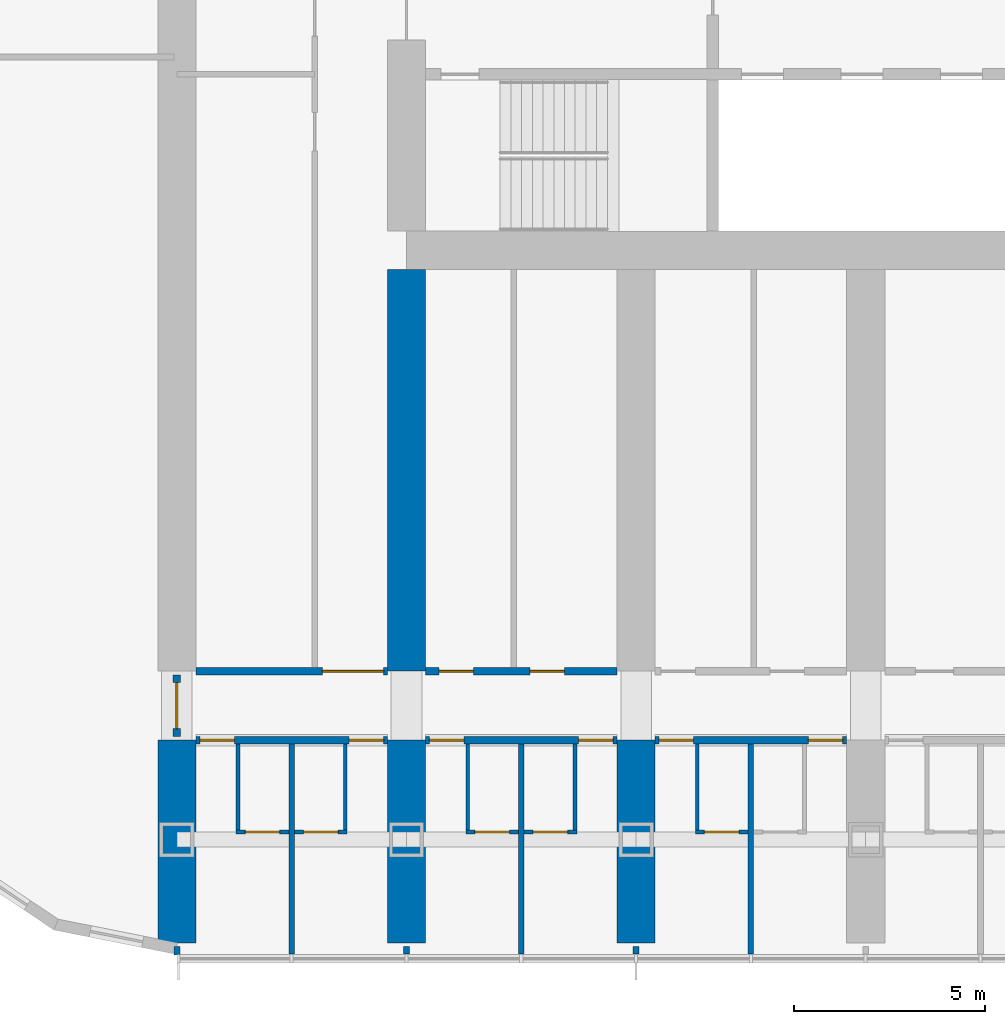
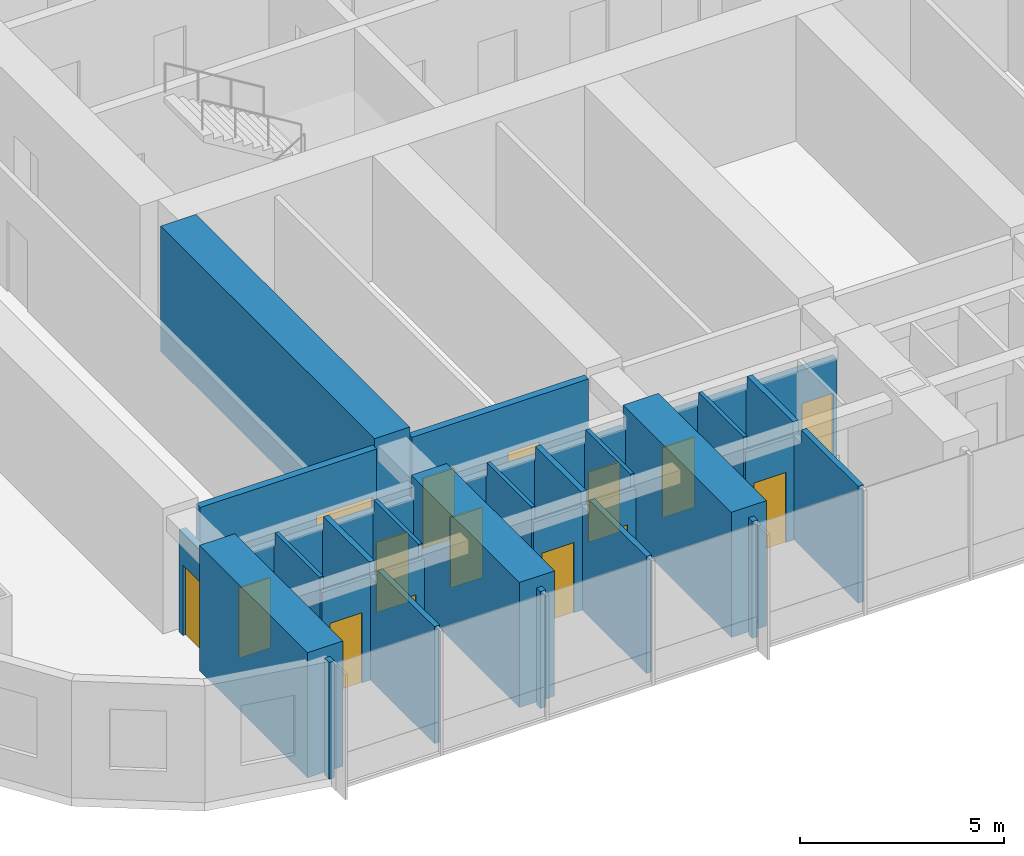
# One storey, part 10 of 25: 26 walls, 15 doors, 15 openings.
"""IFC4 building model written with IfcOpenShell, lengths in metres."""

from ifc_helpers import new_model, si_unit, direction, frame, frame_2d, origin, place, context, subcontext, project, spatial, polyline, rectangle, outline, extrude, material, layer, layer_set, type_object, element, fill, save


model = new_model("IFC4")

# Units and contexts
model_context = context("Model", 3, precision=1e-05, world=origin(), true_north=direction((0.0, 1.0)))
body_context = subcontext(model_context, "Body", "Model", "MODEL_VIEW")
ifc_project = project(units=[si_unit("LENGTHUNIT", "METRE"), si_unit("AREAUNIT", "SQUARE_METRE"), si_unit("VOLUMEUNIT", "CUBIC_METRE"), si_unit("PLANEANGLEUNIT", "RADIAN"), si_unit("MASSUNIT", "GRAM", prefix="KILO")], contexts=[model_context])

# Site, building, storey
site_placement = place(None, origin())
site = spatial("IfcSite", under=ifc_project, at=site_placement, CompositionType="ELEMENT")
building_placement = place(site_placement, origin())
building = spatial("IfcBuilding", under=site, at=building_placement, Name="Orbita Commons", CompositionType="ELEMENT")
storey_placement = place(building_placement, frame((0.0, 0.0, 31.449951171875)))
storey = spatial("IfcBuildingStorey", under=building, at=storey_placement, Name="L07", CompositionType="ELEMENT", Elevation=31.449951171875)

# Wall, openings, doors
ifc_material_1 = material(Name="Concrete blockwork", Category="masonry")
ifc_layer_1 = layer(ifc_material_1, 0.199951171875)
ifc_layer_set_1 = layer_set([ifc_layer_1], Name="Concrete blockwork")
wall_type_1 = type_object("IfcWallType", Name="Corridor wall 200 blockwork", PredefinedType="SOLIDWALL", material=ifc_layer_set_1)
wall_1_placement = place(storey_placement, frame((12.5, 13.0, 0.0), z_axis=(0.0, 0.0, 1.0), x_axis=(1.0, 0.0, 0.0)))
wall_1 = element("IfcWall", 1, at=wall_1_placement, inside=storey, type_object=wall_type_1, Name="Corridor wall 200 blockwork L07", PredefinedType="SOLIDWALL", context=body_context, shape_type="SweptSolid", body=[
    extrude(outline(polyline([(0.0, 0.0), (5.0, 0.0), (5.0, 3.10009765625), (0.0, 3.10009765625), (0.0, 0.0)])), frame((0.0, 0.10009765625, 0.0), z_axis=(0.0, -1.0, 0.0), x_axis=(1.0, 0.0, 0.0)), (0.0, 0.0, 1.0), 0.199951171875),
])
opening_1_placement = place(wall_1_placement, frame((0.10009765625, 0.0, 0.0)))
opening_1 = element("IfcOpeningElement", 2, at=opening_1_placement, cuts=wall_1, Name="Opening D11", PredefinedType="OPENING", context=body_context, shape_type="SweptSolid", body=[
    extrude(rectangle(XDim=0.89990234375, YDim=2.10009765625, at=frame_2d((0.449951171875, 1.050048828125))), frame((0.0, 0.10986328125, 0.0), z_axis=(0.0, -1.0, 0.0), x_axis=(1.0, 0.0, 0.0)), (0.0, 0.0, 1.0), 0.219970703125),
])
opening_2_placement = place(wall_1_placement, frame((4.0, 0.0, 0.0)))
opening_2 = element("IfcOpeningElement", 3, at=opening_2_placement, cuts=wall_1, Name="Opening D11", PredefinedType="OPENING", context=body_context, shape_type="SweptSolid", body=[
    extrude(rectangle(XDim=0.89990234375, YDim=2.10009765625, at=frame_2d((0.449951171875, 1.050048828125))), frame((0.0, 0.10986328125, 0.0), z_axis=(0.0, -1.0, 0.0), x_axis=(1.0, 0.0, 0.0)), (0.0, 0.0, 1.0), 0.219970703125),
])
ifc_material_2 = material(Name="Steel-faced fire door leaf", Category="steel")
door_type_1 = type_object("IfcDoorType", Name="Corridor door 20 min 900x2100", OperationType="SINGLE_SWING_LEFT", PredefinedType="DOOR", material=ifc_material_2)
door_1_placement = place(opening_1_placement, origin())
door_1 = element("IfcDoor", 4, at=door_1_placement, inside=storey, type_object=door_type_1, Name="House bedroom L07-S00 door", OperationType="SINGLE_SWING_LEFT", OverallHeight=2.10009765625, OverallWidth=0.89990234375, PredefinedType="DOOR", context=body_context, shape_type="SweptSolid", body=[
    extrude(rectangle(XDim=0.89990234375, YDim=2.10009765625, at=frame_2d((0.449951171875, 1.050048828125))), frame((0.0, 0.02490234375, 0.0), z_axis=(0.0, -1.0, 0.0), x_axis=(1.0, 0.0, 0.0)), (0.0, 0.0, 1.0), 0.050048828125),
])
fill(opening_1, door_1)
door_2_placement = place(opening_2_placement, origin())
door_2 = element("IfcDoor", 5, at=door_2_placement, inside=storey, type_object=door_type_1, Name="House bedroom L07-S01 door", OperationType="SINGLE_SWING_LEFT", OverallHeight=2.10009765625, OverallWidth=0.89990234375, PredefinedType="DOOR", context=body_context, shape_type="SweptSolid", body=[
    extrude(rectangle(XDim=0.89990234375, YDim=2.10009765625, at=frame_2d((0.449951171875, 1.050048828125))), frame((0.0, 0.02490234375, 0.0), z_axis=(0.0, -1.0, 0.0), x_axis=(1.0, 0.0, 0.0)), (0.0, 0.0, 1.0), 0.050048828125),
])
fill(opening_2, door_2)

wall_2_placement = place(storey_placement, frame((18.5, 13.0, 0.0), z_axis=(0.0, 0.0, 1.0), x_axis=(1.0, 0.0, 0.0)))
wall_2 = element("IfcWall", 6, at=wall_2_placement, inside=storey, type_object=wall_type_1, Name="Corridor wall 200 blockwork L07", PredefinedType="SOLIDWALL", context=body_context, shape_type="SweptSolid", body=[
    extrude(outline(polyline([(0.0, 0.0), (5.0, 0.0), (5.0, 3.10009765625), (0.0, 3.10009765625), (0.0, 0.0)])), frame((0.0, 0.10009765625, 0.0), z_axis=(0.0, -1.0, 0.0), x_axis=(1.0, 0.0, 0.0)), (0.0, 0.0, 1.0), 0.199951171875),
])
opening_3_placement = place(wall_2_placement, frame((0.10009765625, 0.0, 0.0)))
opening_3 = element("IfcOpeningElement", 7, at=opening_3_placement, cuts=wall_2, Name="Opening D11", PredefinedType="OPENING", context=body_context, shape_type="SweptSolid", body=[
    extrude(rectangle(XDim=0.89990234375, YDim=2.10009765625, at=frame_2d((0.449951171875, 1.050048828125))), frame((0.0, 0.10986328125, 0.0), z_axis=(0.0, -1.0, 0.0), x_axis=(1.0, 0.0, 0.0)), (0.0, 0.0, 1.0), 0.219970703125),
])
opening_4_placement = place(wall_2_placement, frame((4.0, 0.0, 0.0)))
opening_4 = element("IfcOpeningElement", 8, at=opening_4_placement, cuts=wall_2, Name="Opening D11", PredefinedType="OPENING", context=body_context, shape_type="SweptSolid", body=[
    extrude(rectangle(XDim=0.89990234375, YDim=2.10009765625, at=frame_2d((0.449951171875, 1.050048828125))), frame((0.0, 0.10986328125, 0.0), z_axis=(0.0, -1.0, 0.0), x_axis=(1.0, 0.0, 0.0)), (0.0, 0.0, 1.0), 0.219970703125),
])
door_3_placement = place(opening_3_placement, origin())
door_3 = element("IfcDoor", 9, at=door_3_placement, inside=storey, type_object=door_type_1, Name="House bedroom L07-S02 door", OperationType="SINGLE_SWING_LEFT", OverallHeight=2.10009765625, OverallWidth=0.89990234375, PredefinedType="DOOR", context=body_context, shape_type="SweptSolid", body=[
    extrude(rectangle(XDim=0.89990234375, YDim=2.10009765625, at=frame_2d((0.449951171875, 1.050048828125))), frame((0.0, 0.02490234375, 0.0), z_axis=(0.0, -1.0, 0.0), x_axis=(1.0, 0.0, 0.0)), (0.0, 0.0, 1.0), 0.050048828125),
])
fill(opening_3, door_3)
door_4_placement = place(opening_4_placement, origin())
door_4 = element("IfcDoor", 10, at=door_4_placement, inside=storey, type_object=door_type_1, Name="House bedroom L07-S03 door", OperationType="SINGLE_SWING_LEFT", OverallHeight=2.10009765625, OverallWidth=0.89990234375, PredefinedType="DOOR", context=body_context, shape_type="SweptSolid", body=[
    extrude(rectangle(XDim=0.89990234375, YDim=2.10009765625, at=frame_2d((0.449951171875, 1.050048828125))), frame((0.0, 0.02490234375, 0.0), z_axis=(0.0, -1.0, 0.0), x_axis=(1.0, 0.0, 0.0)), (0.0, 0.0, 1.0), 0.050048828125),
])
fill(opening_4, door_4)

wall_3_placement = place(storey_placement, frame((24.5, 13.0, 0.0), z_axis=(0.0, 0.0, 1.0), x_axis=(1.0, 0.0, 0.0)))
wall_3 = element("IfcWall", 11, at=wall_3_placement, inside=storey, type_object=wall_type_1, Name="Corridor wall 200 blockwork L07", PredefinedType="SOLIDWALL", context=body_context, shape_type="SweptSolid", body=[
    extrude(outline(polyline([(0.0, 0.0), (5.0, 0.0), (5.0, 3.10009765625), (0.0, 3.10009765625), (0.0, 0.0)])), frame((0.0, 0.10009765625, 0.0), z_axis=(0.0, -1.0, 0.0), x_axis=(1.0, 0.0, 0.0)), (0.0, 0.0, 1.0), 0.199951171875),
])
opening_5_placement = place(wall_3_placement, frame((0.10009765625, 0.0, 0.0)))
opening_5 = element("IfcOpeningElement", 12, at=opening_5_placement, cuts=wall_3, Name="Opening D11", PredefinedType="OPENING", context=body_context, shape_type="SweptSolid", body=[
    extrude(rectangle(XDim=0.89990234375, YDim=2.10009765625, at=frame_2d((0.449951171875, 1.050048828125))), frame((0.0, 0.10986328125, 0.0), z_axis=(0.0, -1.0, 0.0), x_axis=(1.0, 0.0, 0.0)), (0.0, 0.0, 1.0), 0.219970703125),
])
opening_6_placement = place(wall_3_placement, frame((4.0, 0.0, 0.0)))
opening_6 = element("IfcOpeningElement", 13, at=opening_6_placement, cuts=wall_3, Name="Opening D11", PredefinedType="OPENING", context=body_context, shape_type="SweptSolid", body=[
    extrude(rectangle(XDim=0.89990234375, YDim=2.10009765625, at=frame_2d((0.449951171875, 1.050048828125))), frame((0.0, 0.10986328125, 0.0), z_axis=(0.0, -1.0, 0.0), x_axis=(1.0, 0.0, 0.0)), (0.0, 0.0, 1.0), 0.219970703125),
])
door_5_placement = place(opening_5_placement, origin())
door_5 = element("IfcDoor", 14, at=door_5_placement, inside=storey, type_object=door_type_1, Name="House bedroom L07-S04 door", OperationType="SINGLE_SWING_LEFT", OverallHeight=2.10009765625, OverallWidth=0.89990234375, PredefinedType="DOOR", context=body_context, shape_type="SweptSolid", body=[
    extrude(rectangle(XDim=0.89990234375, YDim=2.10009765625, at=frame_2d((0.449951171875, 1.050048828125))), frame((0.0, 0.02490234375, 0.0), z_axis=(0.0, -1.0, 0.0), x_axis=(1.0, 0.0, 0.0)), (0.0, 0.0, 1.0), 0.050048828125),
])
fill(opening_5, door_5)
door_6_placement = place(opening_6_placement, origin())
door_6 = element("IfcDoor", 15, at=door_6_placement, inside=storey, type_object=door_type_1, Name="House bedroom L07-S05 door", OperationType="SINGLE_SWING_LEFT", OverallHeight=2.10009765625, OverallWidth=0.89990234375, PredefinedType="DOOR", context=body_context, shape_type="SweptSolid", body=[
    extrude(rectangle(XDim=0.89990234375, YDim=2.10009765625, at=frame_2d((0.449951171875, 1.050048828125))), frame((0.0, 0.02490234375, 0.0), z_axis=(0.0, -1.0, 0.0), x_axis=(1.0, 0.0, 0.0)), (0.0, 0.0, 1.0), 0.050048828125),
])
fill(opening_6, door_6)

# Wall, opening, door
wall_4_placement = place(storey_placement, frame((12.0, 13.10009765625, 0.0), z_axis=(0.0, 0.0, 1.0), x_axis=(0.0, 1.0, 0.0)))
wall_4 = element("IfcWall", 16, at=wall_4_placement, inside=storey, type_object=wall_type_1, Name="Corridor wall 200 blockwork L07", PredefinedType="SOLIDWALL", context=body_context, shape_type="SweptSolid", body=[
    extrude(outline(polyline([(0.0, 0.0), (1.599853515625, 0.0), (1.60009765625, 3.050048828125), (0.0, 3.050048828125), (0.0, 0.0)])), frame((0.0, 0.10009765625, 0.0), z_axis=(0.0, -1.0, 0.0), x_axis=(1.0, 0.0, 0.0)), (0.0, 0.0, 1.0), 0.199951171875),
])
opening_7_placement = place(wall_4_placement, frame((0.199951171875, 0.0, 0.0)))
opening_7 = element("IfcOpeningElement", 17, at=opening_7_placement, cuts=wall_4, Name="Opening D12", PredefinedType="OPENING", context=body_context, shape_type="SweptSolid", body=[
    extrude(rectangle(XDim=1.199951171875, YDim=2.10009765625, at=frame_2d((0.60009765625, 1.050048828125))), frame((0.0, 0.10986328125, 0.0), z_axis=(0.0, -1.0, 0.0), x_axis=(1.0, 0.0, 0.0)), (0.0, 0.0, 1.0), 0.219970703125),
])
ifc_material_3 = material(Name="Steel-faced fire door leaf", Category="steel")
door_type_2 = type_object("IfcDoorType", Name="Double corridor door 20 min 1200x2100", OperationType="DOUBLE_DOOR_SINGLE_SWING", PredefinedType="DOOR", material=ifc_material_3)
door_7_placement = place(opening_7_placement, origin())
door_7 = element("IfcDoor", 18, at=door_7_placement, inside=storey, type_object=door_type_2, Name="Lounge doors", OperationType="DOUBLE_DOOR_SINGLE_SWING", OverallHeight=2.10009765625, OverallWidth=1.199951171875, PredefinedType="DOOR", context=body_context, shape_type="SweptSolid", body=[
    extrude(rectangle(XDim=1.199951171875, YDim=2.10009765625, at=frame_2d((0.60009765625, 1.050048828125))), frame((0.0, 0.02490234375, 0.0), z_axis=(0.0, -1.0, 0.0), x_axis=(1.0, 0.0, 0.0)), (0.0, 0.0, 1.0), 0.050048828125),
])
fill(opening_7, door_7)

ifc_material_4 = material(Name="Hollow concrete block 200", Category="concrete")
ifc_layer_2 = layer(ifc_material_4, 0.199951171875)
ifc_layer_set_2 = layer_set([ifc_layer_2], Name="Hollow concrete block 200")
wall_type_2 = type_object("IfcWallType", Name="Corridor wall 200 hollow concrete block", PredefinedType="SOLIDWALL", material=ifc_layer_set_2)
wall_5_placement = place(storey_placement, frame((12.5, 14.800048828125, 0.0), z_axis=(0.0, 0.0, 1.0), x_axis=(1.0, 0.0, 0.0)))
wall_5 = element("IfcWall", 19, at=wall_5_placement, inside=storey, type_object=wall_type_2, Name="Corridor wall 200 hollow concrete block L07", PredefinedType="SOLIDWALL", context=body_context, shape_type="SweptSolid", body=[
    extrude(rectangle(XDim=5.0, YDim=0.199951171875, at=frame_2d((2.5, 0.0))), origin(), (0.0, 0.0, 1.0), 3.5),
])
opening_8_placement = place(wall_5_placement, frame((3.300048828125, 0.0, 0.0)))
opening_8 = element("IfcOpeningElement", 20, at=opening_8_placement, cuts=wall_5, Name="Opening D10", PredefinedType="OPENING", context=body_context, shape_type="SweptSolid", body=[
    extrude(rectangle(XDim=1.60009765625, YDim=2.10009765625, at=frame_2d((0.800048828125, 1.050048828125))), frame((0.0, 0.10986328125, 0.0), z_axis=(0.0, -1.0, 0.0), x_axis=(1.0, 0.0, 0.0)), (0.0, 0.0, 1.0), 0.219970703125),
])
ifc_material_5 = material(Name="Steel-faced fire door leaf", Category="steel")
door_type_3 = type_object("IfcDoorType", Name="Double corridor door 20 min 1600x2100", OperationType="DOUBLE_DOOR_SINGLE_SWING", PredefinedType="DOOR", material=ifc_material_5)
door_8_placement = place(opening_8_placement, origin())
door_8 = element("IfcDoor", 21, at=door_8_placement, inside=storey, type_object=door_type_3, Name="Cross corridor doors", OperationType="DOUBLE_DOOR_SINGLE_SWING", OverallHeight=2.10009765625, OverallWidth=1.60009765625, PredefinedType="DOOR", context=body_context, shape_type="SweptSolid", body=[
    extrude(rectangle(XDim=1.60009765625, YDim=2.10009765625, at=frame_2d((0.800048828125, 1.050048828125))), frame((0.0, 0.02490234375, 0.0), z_axis=(0.0, -1.0, 0.0), x_axis=(1.0, 0.0, 0.0)), (0.0, 0.0, 1.0), 0.050048828125),
])
fill(opening_8, door_8)

# Wall, openings, doors
wall_6_placement = place(storey_placement, frame((18.5, 14.800048828125, 0.0), z_axis=(0.0, 0.0, 1.0), x_axis=(1.0, 0.0, 0.0)))
wall_6 = element("IfcWall", 22, at=wall_6_placement, inside=storey, type_object=wall_type_2, Name="Corridor wall 200 hollow concrete block L07", PredefinedType="SOLIDWALL", context=body_context, shape_type="SweptSolid", body=[
    extrude(rectangle(XDim=5.0, YDim=0.199951171875, at=frame_2d((2.5, 0.0))), origin(), (0.0, 0.0, 1.0), 3.5),
])
opening_9_placement = place(wall_6_placement, frame((0.35009765625, 0.0, 0.0)))
opening_9 = element("IfcOpeningElement", 23, at=opening_9_placement, cuts=wall_6, Name="Opening D11", PredefinedType="OPENING", context=body_context, shape_type="SweptSolid", body=[
    extrude(rectangle(XDim=0.89990234375, YDim=2.10009765625, at=frame_2d((0.449951171875, 1.050048828125))), frame((0.0, 0.10986328125, 0.0), z_axis=(0.0, -1.0, 0.0), x_axis=(1.0, 0.0, 0.0)), (0.0, 0.0, 1.0), 0.219970703125),
])
opening_10_placement = place(wall_6_placement, frame((2.72509765625, 0.0, 0.0)))
opening_10 = element("IfcOpeningElement", 24, at=opening_10_placement, cuts=wall_6, Name="Opening D11", PredefinedType="OPENING", context=body_context, shape_type="SweptSolid", body=[
    extrude(rectangle(XDim=0.89990234375, YDim=2.10009765625, at=frame_2d((0.449951171875, 1.050048828125))), frame((0.0, 0.10986328125, 0.0), z_axis=(0.0, -1.0, 0.0), x_axis=(1.0, 0.0, 0.0)), (0.0, 0.0, 1.0), 0.219970703125),
])
door_9_placement = place(opening_9_placement, origin())
door_9 = element("IfcDoor", 25, at=door_9_placement, inside=storey, type_object=door_type_1, Name="Accessible WC and shower room L07-BDS18n door", OperationType="SINGLE_SWING_LEFT", OverallHeight=2.10009765625, OverallWidth=0.89990234375, PredefinedType="DOOR", context=body_context, shape_type="SweptSolid", body=[
    extrude(rectangle(XDim=0.89990234375, YDim=2.10009765625, at=frame_2d((0.449951171875, 1.050048828125))), frame((0.0, 0.02490234375, 0.0), z_axis=(0.0, -1.0, 0.0), x_axis=(1.0, 0.0, 0.0)), (0.0, 0.0, 1.0), 0.050048828125),
])
fill(opening_9, door_9)
door_10_placement = place(opening_10_placement, origin())
door_10 = element("IfcDoor", 26, at=door_10_placement, inside=storey, type_object=door_type_1, Name="Group meeting room L07-BDS18 door", OperationType="SINGLE_SWING_LEFT", OverallHeight=2.10009765625, OverallWidth=0.89990234375, PredefinedType="DOOR", context=body_context, shape_type="SweptSolid", body=[
    extrude(rectangle(XDim=0.89990234375, YDim=2.10009765625, at=frame_2d((0.449951171875, 1.050048828125))), frame((0.0, 0.02490234375, 0.0), z_axis=(0.0, -1.0, 0.0), x_axis=(1.0, 0.0, 0.0)), (0.0, 0.0, 1.0), 0.050048828125),
])
fill(opening_10, door_10)

# Walls
ifc_material_6 = material(Name="Concrete C50/60", Category="concrete")
ifc_layer_3 = layer(ifc_material_6, 1.0)
ifc_layer_set_3 = layer_set([ifc_layer_3], Name="Concrete C50/60")
wall_type_3 = type_object("IfcWallType", Name="Cross wall 1000 C50/60", PredefinedType="SHEAR", material=ifc_layer_set_3)
for number, where, z_axis, x_axis, name in (
    (27, (12.0, 7.699951171875, 0.0), (0.0, 0.0, 1.0), (0.0, 1.0, 0.0), "Cross wall 3 south outer L07"),
    (28, (18.0, 7.699951171875, 0.0), (0.0, 0.0, 1.0), (0.0, 1.0, 0.0), "Cross wall 4 south outer L07"),
):
    element("IfcWall", number, at=place(storey_placement, frame(where, z_axis=z_axis, x_axis=x_axis)), inside=storey, type_object=wall_type_3, Name=name, PredefinedType="SHEAR", context=body_context, shape_type="SweptSolid", body=[
        extrude(rectangle(XDim=5.300048828125, YDim=1.0, at=frame_2d((2.64990234375, 0.0))), origin(), (0.0, 0.0, 1.0), 3.75),
    ])
wall_7_placement = place(storey_placement, frame((18.0, 14.800048828125, 0.0), z_axis=(0.0, 0.0, 1.0), x_axis=(0.0, 1.0, 0.0)))
element("IfcWall", 29, at=wall_7_placement, inside=storey, type_object=wall_type_3, Name="Cross wall 4 south inner L07", PredefinedType="SHEAR", context=body_context, shape_type="SweptSolid", body=[
    extrude(rectangle(XDim=10.5, YDim=1.0, at=frame_2d((5.25, 0.0))), origin(), (0.0, 0.0, 1.0), 3.75),
])
wall_8_placement = place(storey_placement, frame((24.0, 7.699951171875, 0.0), z_axis=(0.0, 0.0, 1.0), x_axis=(0.0, 1.0, 0.0)))
element("IfcWall", 30, at=wall_8_placement, inside=storey, type_object=wall_type_3, Name="Cross wall 5 south outer L07", PredefinedType="SHEAR", context=body_context, shape_type="SweptSolid", body=[
    extrude(rectangle(XDim=5.300048828125, YDim=1.0, at=frame_2d((2.64990234375, 0.0))), origin(), (0.0, 0.0, 1.0), 3.75),
])

# Wall, opening, door
ifc_material_7 = material(Name="Moisture-resistant plasterboard on steel studs", Category="steel")
ifc_layer_4 = layer(ifc_material_7, 0.10009765625)
ifc_layer_set_4 = layer_set([ifc_layer_4], Name="Moisture-resistant plasterboard on steel studs")
wall_type_4 = type_object("IfcWallType", Name="En-suite partition 100", PredefinedType="PARTITIONING", material=ifc_layer_set_4)
wall_9_placement = place(storey_placement, frame((14.925048828125, 10.59814453125, 0.0), z_axis=(0.0, 0.0, 1.0), x_axis=(-1.0, 0.0, 0.0)))
wall_9 = element("IfcWall", 31, at=wall_9_placement, inside=storey, type_object=wall_type_4, Name="En-suite partition 100 L07", PredefinedType="PARTITIONING", context=body_context, shape_type="SweptSolid", body=[
    extrude(outline(polyline([(0.0, 0.0), (1.375, 0.0), (1.375, 3.10009765625), (0.0, 3.10009765625), (0.0, 0.0)])), frame((0.0, 0.050048828125, 0.0), z_axis=(0.0, -1.0, 0.0), x_axis=(1.0, 0.0, 0.0)), (0.0, 0.0, 1.0), 0.10009765625),
])
opening_11_placement = place(wall_9_placement, frame((0.237548828125, 0.0, 0.0)))
opening_11 = element("IfcOpeningElement", 32, at=opening_11_placement, cuts=wall_9, Name="Opening D09", PredefinedType="OPENING", context=body_context, shape_type="SweptSolid", body=[
    extrude(rectangle(XDim=0.89990234375, YDim=2.10009765625, at=frame_2d((0.449951171875, 1.050048828125))), frame((0.0, 0.06005859375, 0.0), z_axis=(0.0, -1.0, 0.0), x_axis=(1.0, 0.0, 0.0)), (0.0, 0.0, 1.0), 0.1201171875),
])
ifc_material_8 = material(Name="Laminated timber door leaf", Category="wood")
door_type_4 = type_object("IfcDoorType", Name="En-suite door 900x2100", OperationType="SINGLE_SWING_RIGHT", PredefinedType="DOOR", material=ifc_material_8)
door_11_placement = place(opening_11_placement, origin())
door_11 = element("IfcDoor", 33, at=door_11_placement, inside=storey, type_object=door_type_4, Name="En-suite L07-S00 door", OperationType="SINGLE_SWING_RIGHT", OverallHeight=2.10009765625, OverallWidth=0.89990234375, PredefinedType="DOOR", context=body_context, shape_type="SweptSolid", body=[
    extrude(rectangle(XDim=0.89990234375, YDim=2.10009765625, at=frame_2d((0.449951171875, 1.050048828125))), frame((0.0, 0.02490234375, 0.0), z_axis=(0.0, -1.0, 0.0), x_axis=(1.0, 0.0, 0.0)), (0.0, 0.0, 1.0), 0.050048828125),
])
fill(opening_11, door_11)

# Wall
wall_10_placement = place(storey_placement, frame((13.60009765625, 10.648193359375, 0.0), z_axis=(0.0, 0.0, 1.0), x_axis=(0.0, 1.0, 0.0)))
element("IfcWall", 34, at=wall_10_placement, inside=storey, type_object=wall_type_4, Name="En-suite partition 100 L07", PredefinedType="PARTITIONING", context=body_context, shape_type="SweptSolid", body=[
    extrude(outline(polyline([(0.0, 0.0), (2.251708984375, 0.0), (2.251953125, 3.10009765625), (2.203857421875, 3.10009765625), (2.201904296875, 3.5), (0.0, 3.5), (0.0, 0.0)])), frame((0.0, 0.050048828125, 0.0), z_axis=(0.0, -1.0, 0.0), x_axis=(1.0, 0.0, 0.0)), (0.0, 0.0, 1.0), 0.10009765625),
])

# Wall, opening, door
wall_11_placement = place(storey_placement, frame((16.449951171875, 10.59814453125, 0.0), z_axis=(0.0, 0.0, 1.0), x_axis=(-1.0, 0.0, 0.0)))
wall_11 = element("IfcWall", 35, at=wall_11_placement, inside=storey, type_object=wall_type_4, Name="En-suite partition 100 L07", PredefinedType="PARTITIONING", context=body_context, shape_type="SweptSolid", body=[
    extrude(outline(polyline([(0.0, 0.0), (1.375, 0.0), (1.375, 3.10009765625), (0.0, 3.10009765625), (0.0, 0.0)])), frame((0.0, 0.050048828125, 0.0), z_axis=(0.0, -1.0, 0.0), x_axis=(1.0, 0.0, 0.0)), (0.0, 0.0, 1.0), 0.10009765625),
])
opening_12_placement = place(wall_11_placement, frame((0.237548828125, 0.0, 0.0)))
opening_12 = element("IfcOpeningElement", 36, at=opening_12_placement, cuts=wall_11, Name="Opening D09", PredefinedType="OPENING", context=body_context, shape_type="SweptSolid", body=[
    extrude(rectangle(XDim=0.89990234375, YDim=2.10009765625, at=frame_2d((0.449951171875, 1.050048828125))), frame((0.0, 0.06005859375, 0.0), z_axis=(0.0, -1.0, 0.0), x_axis=(1.0, 0.0, 0.0)), (0.0, 0.0, 1.0), 0.1201171875),
])
door_12_placement = place(opening_12_placement, origin())
door_12 = element("IfcDoor", 37, at=door_12_placement, inside=storey, type_object=door_type_4, Name="En-suite L07-S01 door", OperationType="SINGLE_SWING_RIGHT", OverallHeight=2.10009765625, OverallWidth=0.89990234375, PredefinedType="DOOR", context=body_context, shape_type="SweptSolid", body=[
    extrude(rectangle(XDim=0.89990234375, YDim=2.10009765625, at=frame_2d((0.449951171875, 1.050048828125))), frame((0.0, 0.02490234375, 0.0), z_axis=(0.0, -1.0, 0.0), x_axis=(1.0, 0.0, 0.0)), (0.0, 0.0, 1.0), 0.050048828125),
])
fill(opening_12, door_12)

# Wall
wall_12_placement = place(storey_placement, frame((16.39990234375, 10.648193359375, 0.0), z_axis=(0.0, 0.0, 1.0), x_axis=(0.0, 1.0, 0.0)))
element("IfcWall", 38, at=wall_12_placement, inside=storey, type_object=wall_type_4, Name="En-suite partition 100 L07", PredefinedType="PARTITIONING", context=body_context, shape_type="SweptSolid", body=[
    extrude(outline(polyline([(0.0, 0.0), (2.251708984375, 0.0), (2.251953125, 3.10009765625), (2.203857421875, 3.10009765625), (2.201904296875, 3.5), (0.0, 3.5), (0.0, 0.0)])), frame((0.0, 0.050048828125, 0.0), z_axis=(0.0, -1.0, 0.0), x_axis=(1.0, 0.0, 0.0)), (0.0, 0.0, 1.0), 0.10009765625),
])

# Wall, opening, door
wall_13_placement = place(storey_placement, frame((20.925048828125, 10.59814453125, 0.0), z_axis=(0.0, 0.0, 1.0), x_axis=(-1.0, 0.0, 0.0)))
wall_13 = element("IfcWall", 39, at=wall_13_placement, inside=storey, type_object=wall_type_4, Name="En-suite partition 100 L07", PredefinedType="PARTITIONING", context=body_context, shape_type="SweptSolid", body=[
    extrude(outline(polyline([(0.0, 0.0), (1.375, 0.0), (1.375, 3.10009765625), (0.0, 3.10009765625), (0.0, 0.0)])), frame((0.0, 0.050048828125, 0.0), z_axis=(0.0, -1.0, 0.0), x_axis=(1.0, 0.0, 0.0)), (0.0, 0.0, 1.0), 0.10009765625),
])
opening_13_placement = place(wall_13_placement, frame((0.237548828125, 0.0, 0.0)))
opening_13 = element("IfcOpeningElement", 40, at=opening_13_placement, cuts=wall_13, Name="Opening D09", PredefinedType="OPENING", context=body_context, shape_type="SweptSolid", body=[
    extrude(rectangle(XDim=0.89990234375, YDim=2.10009765625, at=frame_2d((0.449951171875, 1.050048828125))), frame((0.0, 0.06005859375, 0.0), z_axis=(0.0, -1.0, 0.0), x_axis=(1.0, 0.0, 0.0)), (0.0, 0.0, 1.0), 0.1201171875),
])
door_13_placement = place(opening_13_placement, origin())
door_13 = element("IfcDoor", 41, at=door_13_placement, inside=storey, type_object=door_type_4, Name="En-suite L07-S02 door", OperationType="SINGLE_SWING_RIGHT", OverallHeight=2.10009765625, OverallWidth=0.89990234375, PredefinedType="DOOR", context=body_context, shape_type="SweptSolid", body=[
    extrude(rectangle(XDim=0.89990234375, YDim=2.10009765625, at=frame_2d((0.449951171875, 1.050048828125))), frame((0.0, 0.02490234375, 0.0), z_axis=(0.0, -1.0, 0.0), x_axis=(1.0, 0.0, 0.0)), (0.0, 0.0, 1.0), 0.050048828125),
])
fill(opening_13, door_13)

# Wall
wall_14_placement = place(storey_placement, frame((19.60009765625, 10.648193359375, 0.0), z_axis=(0.0, 0.0, 1.0), x_axis=(0.0, 1.0, 0.0)))
element("IfcWall", 42, at=wall_14_placement, inside=storey, type_object=wall_type_4, Name="En-suite partition 100 L07", PredefinedType="PARTITIONING", context=body_context, shape_type="SweptSolid", body=[
    extrude(outline(polyline([(0.0, 0.0), (2.251708984375, 0.0), (2.251953125, 3.10009765625), (2.203857421875, 3.10009765625), (2.201904296875, 3.5), (0.0, 3.5), (0.0, 0.0)])), frame((0.0, 0.050048828125, 0.0), z_axis=(0.0, -1.0, 0.0), x_axis=(1.0, 0.0, 0.0)), (0.0, 0.0, 1.0), 0.10009765625),
])

# Wall, opening, door
wall_15_placement = place(storey_placement, frame((22.449951171875, 10.59814453125, 0.0), z_axis=(0.0, 0.0, 1.0), x_axis=(-1.0, 0.0, 0.0)))
wall_15 = element("IfcWall", 43, at=wall_15_placement, inside=storey, type_object=wall_type_4, Name="En-suite partition 100 L07", PredefinedType="PARTITIONING", context=body_context, shape_type="SweptSolid", body=[
    extrude(outline(polyline([(0.0, 0.0), (1.375, 0.0), (1.375, 3.10009765625), (0.0, 3.10009765625), (0.0, 0.0)])), frame((0.0, 0.050048828125, 0.0), z_axis=(0.0, -1.0, 0.0), x_axis=(1.0, 0.0, 0.0)), (0.0, 0.0, 1.0), 0.10009765625),
])
opening_14_placement = place(wall_15_placement, frame((0.237548828125, 0.0, 0.0)))
opening_14 = element("IfcOpeningElement", 44, at=opening_14_placement, cuts=wall_15, Name="Opening D09", PredefinedType="OPENING", context=body_context, shape_type="SweptSolid", body=[
    extrude(rectangle(XDim=0.89990234375, YDim=2.10009765625, at=frame_2d((0.449951171875, 1.050048828125))), frame((0.0, 0.06005859375, 0.0), z_axis=(0.0, -1.0, 0.0), x_axis=(1.0, 0.0, 0.0)), (0.0, 0.0, 1.0), 0.1201171875),
])
door_14_placement = place(opening_14_placement, origin())
door_14 = element("IfcDoor", 45, at=door_14_placement, inside=storey, type_object=door_type_4, Name="En-suite L07-S03 door", OperationType="SINGLE_SWING_RIGHT", OverallHeight=2.10009765625, OverallWidth=0.89990234375, PredefinedType="DOOR", context=body_context, shape_type="SweptSolid", body=[
    extrude(rectangle(XDim=0.89990234375, YDim=2.10009765625, at=frame_2d((0.449951171875, 1.050048828125))), frame((0.0, 0.02490234375, 0.0), z_axis=(0.0, -1.0, 0.0), x_axis=(1.0, 0.0, 0.0)), (0.0, 0.0, 1.0), 0.050048828125),
])
fill(opening_14, door_14)

# Wall
wall_16_placement = place(storey_placement, frame((22.39990234375, 10.648193359375, 0.0), z_axis=(0.0, 0.0, 1.0), x_axis=(0.0, 1.0, 0.0)))
element("IfcWall", 46, at=wall_16_placement, inside=storey, type_object=wall_type_4, Name="En-suite partition 100 L07", PredefinedType="PARTITIONING", context=body_context, shape_type="SweptSolid", body=[
    extrude(outline(polyline([(0.0, 0.0), (2.251708984375, 0.0), (2.251953125, 3.10009765625), (2.203857421875, 3.10009765625), (2.201904296875, 3.5), (0.0, 3.5), (0.0, 0.0)])), frame((0.0, 0.050048828125, 0.0), z_axis=(0.0, -1.0, 0.0), x_axis=(1.0, 0.0, 0.0)), (0.0, 0.0, 1.0), 0.10009765625),
])

# Wall, opening, door
wall_17_placement = place(storey_placement, frame((26.925048828125, 10.59814453125, 0.0), z_axis=(0.0, 0.0, 1.0), x_axis=(-1.0, 0.0, 0.0)))
wall_17 = element("IfcWall", 47, at=wall_17_placement, inside=storey, type_object=wall_type_4, Name="En-suite partition 100 L07", PredefinedType="PARTITIONING", context=body_context, shape_type="SweptSolid", body=[
    extrude(outline(polyline([(0.0, 0.0), (1.375, 0.0), (1.375, 3.10009765625), (0.0, 3.10009765625), (0.0, 0.0)])), frame((0.0, 0.050048828125, 0.0), z_axis=(0.0, -1.0, 0.0), x_axis=(1.0, 0.0, 0.0)), (0.0, 0.0, 1.0), 0.10009765625),
])
opening_15_placement = place(wall_17_placement, frame((0.237548828125, 0.0, 0.0)))
opening_15 = element("IfcOpeningElement", 48, at=opening_15_placement, cuts=wall_17, Name="Opening D09", PredefinedType="OPENING", context=body_context, shape_type="SweptSolid", body=[
    extrude(rectangle(XDim=0.89990234375, YDim=2.10009765625, at=frame_2d((0.449951171875, 1.050048828125))), frame((0.0, 0.06005859375, 0.0), z_axis=(0.0, -1.0, 0.0), x_axis=(1.0, 0.0, 0.0)), (0.0, 0.0, 1.0), 0.1201171875),
])
door_15_placement = place(opening_15_placement, origin())
door_15 = element("IfcDoor", 49, at=door_15_placement, inside=storey, type_object=door_type_4, Name="En-suite L07-S04 door", OperationType="SINGLE_SWING_RIGHT", OverallHeight=2.10009765625, OverallWidth=0.89990234375, PredefinedType="DOOR", context=body_context, shape_type="SweptSolid", body=[
    extrude(rectangle(XDim=0.89990234375, YDim=2.10009765625, at=frame_2d((0.449951171875, 1.050048828125))), frame((0.0, 0.02490234375, 0.0), z_axis=(0.0, -1.0, 0.0), x_axis=(1.0, 0.0, 0.0)), (0.0, 0.0, 1.0), 0.050048828125),
])
fill(opening_15, door_15)

# Walls
wall_18_placement = place(storey_placement, frame((25.60009765625, 10.648193359375, 0.0), z_axis=(0.0, 0.0, 1.0), x_axis=(0.0, 1.0, 0.0)))
element("IfcWall", 50, at=wall_18_placement, inside=storey, type_object=wall_type_4, Name="En-suite partition 100 L07", PredefinedType="PARTITIONING", context=body_context, shape_type="SweptSolid", body=[
    extrude(outline(polyline([(0.0, 0.0), (2.251708984375, 0.0), (2.251953125, 3.10009765625), (2.203857421875, 3.10009765625), (2.201904296875, 3.5), (0.0, 3.5), (0.0, 0.0)])), frame((0.0, 0.050048828125, 0.0), z_axis=(0.0, -1.0, 0.0), x_axis=(1.0, 0.0, 0.0)), (0.0, 0.0, 1.0), 0.10009765625),
])
ifc_material_9 = material(Name="Gypsum plasterboard on steel studs", Category="steel")
ifc_layer_5 = layer(ifc_material_9, 0.14990234375)
ifc_layer_set_5 = layer_set([ifc_layer_5], Name="Gypsum plasterboard on steel studs")
wall_type_5 = type_object("IfcWallType", Name="Partition 150 plasterboard", PredefinedType="PARTITIONING", material=ifc_layer_set_5)
wall_19_placement = place(storey_placement, frame((12.0, 7.60009765625, 0.0), z_axis=(0.0, 0.0, 1.0), x_axis=(0.0, -1.0, 0.0)))
element("IfcWall", 51, at=wall_19_placement, inside=storey, type_object=wall_type_5, Name="Partition 150 plasterboard L07", PredefinedType="PARTITIONING", context=body_context, shape_type="SweptSolid", body=[
    extrude(rectangle(XDim=0.22021484375, YDim=0.14990234375, at=frame_2d((0.110107421875, 0.0))), origin(), (0.0, 0.0, 1.0), 3.5),
])
for number, where, z_axis, x_axis, name in (
    (52, (18.0, 7.60009765625, 0.0), (0.0, 0.0, 1.0), (0.0, -1.0, 0.0), "Partition 150 plasterboard L07"),
    (53, (24.0, 7.60009765625, 0.0), (0.0, 0.0, 1.0), (0.0, -1.0, 0.0), "Partition 150 plasterboard L07"),
):
    element("IfcWall", number, at=place(storey_placement, frame(where, z_axis=z_axis, x_axis=x_axis)), inside=storey, type_object=wall_type_5, Name=name, PredefinedType="PARTITIONING", context=body_context, shape_type="SweptSolid", body=[
        extrude(rectangle(XDim=0.190185546875, YDim=0.14990234375, at=frame_2d((0.09521484375, 0.0))), origin(), (0.0, 0.0, 1.0), 3.5),
    ])
ifc_material_10 = material(Name="Gypsum plasterboard on steel studs", Category="steel")
ifc_layer_6 = layer(ifc_material_10, 0.14990234375)
ifc_layer_set_6 = layer_set([ifc_layer_6], Name="Gypsum plasterboard on steel studs")
wall_type_6 = type_object("IfcWallType", Name="Party wall 150 plasterboard", PredefinedType="PARTITIONING", material=ifc_layer_set_6)
for number, where, z_axis, x_axis, name in (
    (54, (15.0, 7.409912109375, 0.0), (0.0, 0.0, 1.0), (0.0, 1.0, 0.0), "Party wall 150 plasterboard L07"),
    (55, (21.0, 7.409912109375, 0.0), (0.0, 0.0, 1.0), (0.0, 1.0, 0.0), "Party wall 150 plasterboard L07"),
    (56, (27.0, 7.409912109375, 0.0), (0.0, 0.0, 1.0), (0.0, 1.0, 0.0), "Party wall 150 plasterboard L07"),
):
    element("IfcWall", number, at=place(storey_placement, frame(where, z_axis=z_axis, x_axis=x_axis)), inside=storey, type_object=wall_type_6, Name=name, PredefinedType="PARTITIONING", context=body_context, shape_type="SweptSolid", body=[
        extrude(outline(polyline([(0.0, 0.0), (5.489990234375, 0.0), (5.489990234375, 3.10009765625), (5.44189453125, 3.10009765625), (5.43994140625, 3.5), (3.19189453125, 3.5), (3.18994140625, 3.10009765625), (2.7919921875, 3.10009765625), (2.7900390625, 3.5), (0.0, 3.5), (0.0, 0.0)])), frame((0.0, 0.074951171875, 0.0), z_axis=(0.0, -1.0, 0.0), x_axis=(1.0, 0.0, 0.0)), (0.0, 0.0, 1.0), 0.14990234375),
    ])

save(model, "model.ifc")
